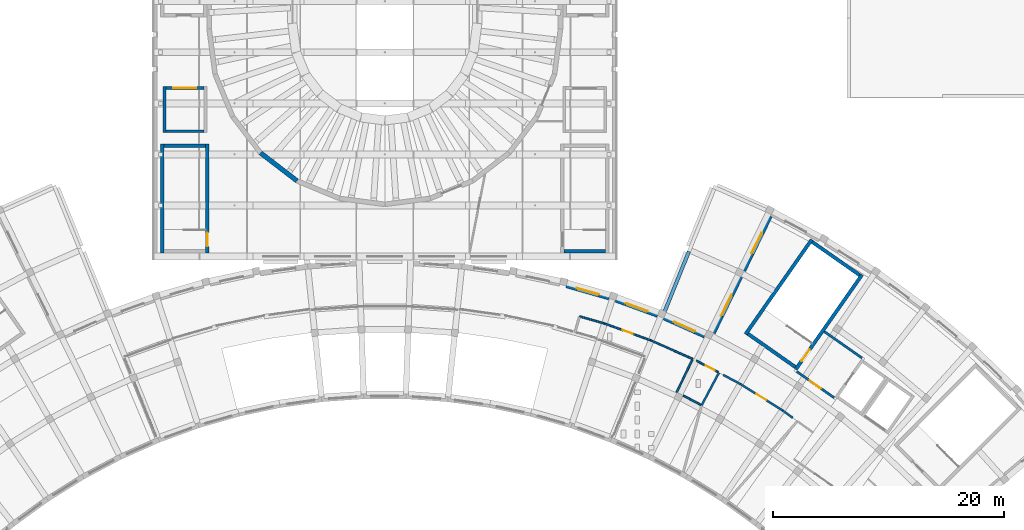
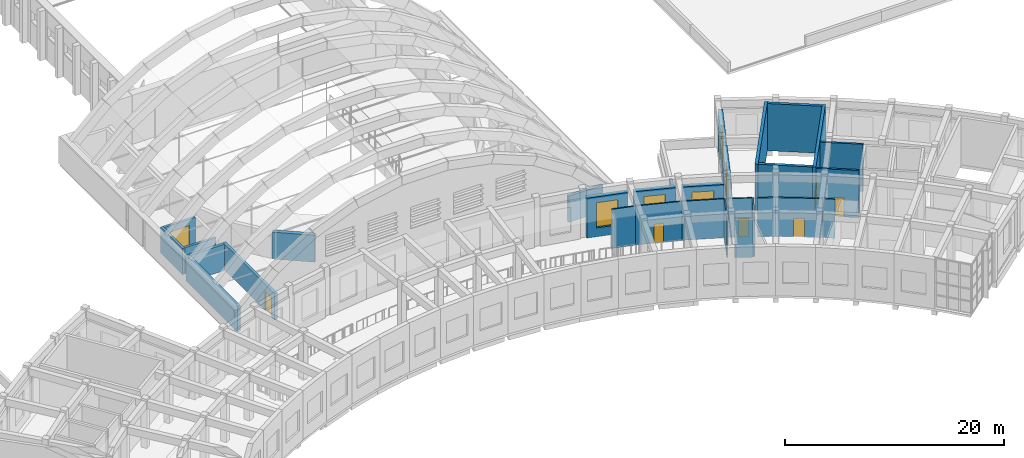
# One storey, part 63 of 94: 30 walls, 7 doors, 5 windows, 12 openings.
"""IFC4 building model written with IfcOpenShell, lengths in metres."""

from ifc_helpers import new_model, si_unit, direction, frame, frame_2d, origin, place, context, subcontext, project, spatial, rectangle, extrude, material, layer, layer_set, type_object, element, fill, save


model = new_model("IFC4")

# Units and contexts
model_context = context("Model", 3, precision=1e-05, world=origin(), true_north=direction((0.0, 1.0)))
body_context = subcontext(model_context, "Body", "Model", "MODEL_VIEW")
ifc_project = project(units=[si_unit("LENGTHUNIT", "METRE"), si_unit("AREAUNIT", "SQUARE_METRE"), si_unit("VOLUMEUNIT", "CUBIC_METRE"), si_unit("PLANEANGLEUNIT", "RADIAN"), si_unit("MASSUNIT", "GRAM", prefix="KILO")], contexts=[model_context])

# Site, building, storey
site_placement = place(None, origin())
site = spatial("IfcSite", under=ifc_project, at=site_placement, CompositionType="ELEMENT")
building_placement = place(site_placement, origin())
building = spatial("IfcBuilding", under=site, at=building_placement, Name="Lunette Opera House", CompositionType="ELEMENT")
storey_placement = place(building_placement, frame((0.0, 0.0, 22.5)))
storey = spatial("IfcBuildingStorey", under=building, at=storey_placement, Name="L04", CompositionType="ELEMENT", Elevation=22.5)

# Wall, opening, door
ifc_material_1 = material(Name="Plastered clay blockwork", Category="masonry")
ifc_layer_1 = layer(ifc_material_1, 0.175048828125)
ifc_layer_set_1 = layer_set([ifc_layer_1], Name="Plastered clay blockwork")
wall_type_1 = type_object("IfcWallType", Name="ACOUSTIC BLOCK PARTITION 175", PredefinedType="PARTITIONING", material=ifc_layer_set_1)
wall_1_placement = place(storey_placement, frame((130.389892578125, 50.986083984375, 0.0), z_axis=(0.0, 0.0, 1.0), x_axis=(-0.848001499411, 0.52999382732, 0.0)))
wall_1 = element("IfcWall", 1, at=wall_1_placement, inside=storey, type_object=wall_type_1, Name="Partition Restaurant Store", PredefinedType="PARTITIONING", context=body_context, shape_type="SweptSolid", body=[
    extrude(rectangle(XDim=4.292236328125, YDim=0.175048828125, at=frame_2d((2.14599609375, 0.0))), origin(), (0.0, 0.0, 1.0), 4.35009765625),
])
opening_1_placement = place(wall_1_placement, frame((1.64599609375, 0.0, 0.0)))
opening_1 = element("IfcOpeningElement", 2, at=opening_1_placement, cuts=wall_1, Name="Opening FC-D3048", PredefinedType="OPENING", context=body_context, shape_type="SweptSolid", body=[
    extrude(rectangle(XDim=1.0, YDim=2.10009765625, at=frame_2d((0.5, 1.050048828125))), frame((0.0, 0.099609375, 0.0), z_axis=(0.0, -1.0, 0.0), x_axis=(1.0, 0.0, 0.0)), (0.0, 0.0, 1.0), 0.198974609375),
])
ifc_material_2 = material(Name="Timber", Category="wood")
door_type_1 = type_object("IfcDoorType", Name="FLUSH DOOR 1000 X 2100", OperationType="SINGLE_SWING_LEFT", PredefinedType="DOOR", material=ifc_material_2)
door_1_placement = place(opening_1_placement, origin())
door_1 = element("IfcDoor", 3, at=door_1_placement, inside=storey, type_object=door_type_1, Name="Restaurant Store door", OperationType="SINGLE_SWING_LEFT", OverallHeight=2.10009765625, OverallWidth=1.0, PredefinedType="DOOR", context=body_context, shape_type="SweptSolid", body=[
    extrude(rectangle(XDim=1.0, YDim=2.10009765625, at=frame_2d((0.5, 1.050048828125))), frame((0.0, 0.02490234375, 0.0), z_axis=(0.0, -1.0, 0.0), x_axis=(1.0, 0.0, 0.0)), (0.0, 0.0, 1.0), 0.050048828125),
])
fill(opening_1, door_1)

# Walls
wall_2_placement = place(storey_placement, frame((124.9130859375, 54.237060546875, 0.0), z_axis=(0.0, 0.0, 1.0), x_axis=(-0.470362354522, -0.88247337379, 0.0)))
element("IfcWall", 4, at=wall_2_placement, inside=storey, type_object=wall_type_1, Name="Partition Restaurant Store", PredefinedType="PARTITIONING", context=body_context, shape_type="SweptSolid", body=[
    extrude(rectangle(XDim=3.19775390625, YDim=0.175048828125, at=frame_2d((1.598876953125, 0.0))), origin(), (0.0, 0.0, 1.0), 4.35009765625),
])
wall_3_placement = place(storey_placement, frame((126.75, 53.260986328125, 0.0), z_axis=(0.0, 0.0, 1.0), x_axis=(-0.882996305716, 0.469379935758, 0.0)))
element("IfcWall", 5, at=wall_3_placement, inside=storey, type_object=wall_type_1, Name="Partition Restaurant Store", PredefinedType="PARTITIONING", context=body_context, shape_type="SweptSolid", body=[
    extrude(rectangle(XDim=1.66796875, YDim=0.175048828125, at=frame_2d((0.833984375, 0.0))), origin(), (0.0, 0.0, 1.0), 4.35009765625),
])
wall_4_placement = place(storey_placement, frame((131.297119140625, 50.326904296875, 0.0), z_axis=(0.0, 0.0, 1.0), x_axis=(-0.8089996052, 0.587809185694, 0.0)))
element("IfcWall", 6, at=wall_4_placement, inside=storey, type_object=wall_type_1, Name="Partition Restaurant Store", PredefinedType="PARTITIONING", context=body_context, shape_type="SweptSolid", body=[
    extrude(rectangle(XDim=1.121337890625, YDim=0.175048828125, at=frame_2d((0.560546875, 0.0))), origin(), (0.0, 0.0, 1.0), 4.35009765625),
])

# Wall, opening, window
ifc_material_3 = material(Name="Clinker brick", Category="masonry")
ifc_layer_2 = layer(ifc_material_3, 0.449951171875)
ifc_layer_set_2 = layer_set([ifc_layer_2], Name="Clinker brick")
wall_type_2 = type_object("IfcWallType", Name="ARM REAR WALL 450", PredefinedType="SOLIDWALL", material=ifc_layer_set_2)
wall_5_placement = place(storey_placement, frame((129.31689453125, 67.798095703125, 0.0), z_axis=(0.0, 0.0, 1.0), x_axis=(-0.438229062669, -0.898863331454, 0.0)))
wall_5 = element("IfcWall", 7, at=wall_5_placement, inside=storey, type_object=wall_type_2, Name="Arm Rear Wall 450 F04 L04", PredefinedType="SOLIDWALL", context=body_context, shape_type="SweptSolid", body=[
    extrude(rectangle(XDim=5.2412109375, YDim=0.449951171875, at=frame_2d((2.62060546875, 0.0))), origin(), (0.0, 0.0, 1.0), 4.449951171875),
])
opening_2_placement = place(wall_5_placement, frame((1.6201171875, 0.0, 1.0)))
opening_2 = element("IfcOpeningElement", 8, at=opening_2_placement, cuts=wall_5, Name="Opening FC-N2194", PredefinedType="OPENING", context=body_context, shape_type="SweptSolid", body=[
    extrude(rectangle(XDim=2.0, YDim=2.800048828125, at=frame_2d((1.0, 1.39990234375))), frame((0.0, 0.237060546875, 0.0), z_axis=(0.0, -1.0, 0.0), x_axis=(1.0, 0.0, 0.0)), (0.0, 0.0, 1.0), 0.473876953125),
])
ifc_material_4 = material(Name="Aluminium", Category="aluminium")
window_type = type_object("IfcWindowType", Name="ARM WINDOW 2000 X 2800", PartitioningType="DOUBLE_PANEL_VERTICAL", PredefinedType="WINDOW", material=ifc_material_4)
window_1_placement = place(opening_2_placement, origin())
window_1 = element("IfcWindow", 9, at=window_1_placement, inside=storey, type_object=window_type, Name="Arm Window 2000 X 2800 F04 L04", OverallHeight=2.800048828125, OverallWidth=2.0, PartitioningType="DOUBLE_PANEL_VERTICAL", PredefinedType="WINDOW", context=body_context, shape_type="SweptSolid", body=[
    extrude(rectangle(XDim=2.0, YDim=2.800048828125, at=frame_2d((1.0, 1.39990234375))), frame((0.0, 0.030029296875, 0.0), z_axis=(0.0, -1.0, 0.0), x_axis=(1.0, 0.0, 0.0)), (0.0, 0.0, 1.0), 0.06005859375),
])
fill(opening_2, window_1)

wall_6_placement = place(storey_placement, frame((126.759033203125, 62.551025390625, 0.0), z_axis=(0.0, 0.0, 1.0), x_axis=(-0.4384093903, -0.898775392686, 0.0)))
wall_6 = element("IfcWall", 10, at=wall_6_placement, inside=storey, type_object=wall_type_2, Name="Arm Rear Wall 450 F05 L04", PredefinedType="SOLIDWALL", context=body_context, shape_type="SweptSolid", body=[
    extrude(rectangle(XDim=5.404052734375, YDim=0.449951171875, at=frame_2d((2.7021484375, 0.0))), origin(), (0.0, 0.0, 1.0), 4.449951171875),
])
opening_3_placement = place(wall_6_placement, frame((1.779052734375, 0.0, 1.0)))
opening_3 = element("IfcOpeningElement", 11, at=opening_3_placement, cuts=wall_6, Name="Opening FC-N2195", PredefinedType="OPENING", context=body_context, shape_type="SweptSolid", body=[
    extrude(rectangle(XDim=2.0, YDim=2.800048828125, at=frame_2d((1.0, 1.39990234375))), frame((0.0, 0.237060546875, 0.0), z_axis=(0.0, -1.0, 0.0), x_axis=(1.0, 0.0, 0.0)), (0.0, 0.0, 1.0), 0.473876953125),
])
window_2_placement = place(opening_3_placement, origin())
window_2 = element("IfcWindow", 12, at=window_2_placement, inside=storey, type_object=window_type, Name="Arm Window 2000 X 2800 F05 L04", OverallHeight=2.800048828125, OverallWidth=2.0, PartitioningType="DOUBLE_PANEL_VERTICAL", PredefinedType="WINDOW", context=body_context, shape_type="SweptSolid", body=[
    extrude(rectangle(XDim=2.0, YDim=2.800048828125, at=frame_2d((1.0, 1.39990234375))), frame((0.0, 0.030029296875, 0.0), z_axis=(0.0, -1.0, 0.0), x_axis=(1.0, 0.0, 0.0)), (0.0, 0.0, 1.0), 0.06005859375),
])
fill(opening_3, window_2)

wall_7_placement = place(storey_placement, frame((123.680908203125, 57.444091796875, 0.0), z_axis=(0.0, 0.0, 1.0), x_axis=(-0.913596783635, 0.406621343429, 0.0)))
wall_7 = element("IfcWall", 13, at=wall_7_placement, inside=storey, type_object=wall_type_2, Name="Arm Rear Wall 450 F06 L04", PredefinedType="SOLIDWALL", context=body_context, shape_type="SweptSolid", body=[
    extrude(rectangle(XDim=3.84619140625, YDim=0.449951171875, at=frame_2d((1.923095703125, 0.0))), origin(), (0.0, 0.0, 1.0), 4.449951171875),
])
opening_4_placement = place(wall_7_placement, frame((0.923095703125, 0.0, 1.0)))
opening_4 = element("IfcOpeningElement", 14, at=opening_4_placement, cuts=wall_7, Name="Opening FC-N2196", PredefinedType="OPENING", context=body_context, shape_type="SweptSolid", body=[
    extrude(rectangle(XDim=2.0, YDim=2.800048828125, at=frame_2d((1.0, 1.39990234375))), frame((0.0, 0.237060546875, 0.0), z_axis=(0.0, -1.0, 0.0), x_axis=(1.0, 0.0, 0.0)), (0.0, 0.0, 1.0), 0.473876953125),
])
window_3_placement = place(opening_4_placement, origin())
window_3 = element("IfcWindow", 15, at=window_3_placement, inside=storey, type_object=window_type, Name="Arm Window 2000 X 2800 F06 L04", OverallHeight=2.800048828125, OverallWidth=2.0, PartitioningType="DOUBLE_PANEL_VERTICAL", PredefinedType="WINDOW", context=body_context, shape_type="SweptSolid", body=[
    extrude(rectangle(XDim=2.0, YDim=2.800048828125, at=frame_2d((1.0, 1.39990234375))), frame((0.0, 0.030029296875, 0.0), z_axis=(0.0, -1.0, 0.0), x_axis=(1.0, 0.0, 0.0)), (0.0, 0.0, 1.0), 0.06005859375),
])
fill(opening_4, window_3)

wall_8_placement = place(storey_placement, frame((119.60595703125, 59.235107421875, 0.0), z_axis=(0.0, 0.0, 1.0), x_axis=(-0.939678490681, 0.342058962975, 0.0)))
wall_8 = element("IfcWall", 16, at=wall_8_placement, inside=storey, type_object=wall_type_2, Name="Arm Rear Wall 450 F07 L04", PredefinedType="SOLIDWALL", context=body_context, shape_type="SweptSolid", body=[
    extrude(rectangle(XDim=3.84716796875, YDim=0.449951171875, at=frame_2d((1.923583984375, 0.0))), origin(), (0.0, 0.0, 1.0), 4.449951171875),
])
opening_5_placement = place(wall_8_placement, frame((0.924072265625, 0.0, 1.0)))
opening_5 = element("IfcOpeningElement", 17, at=opening_5_placement, cuts=wall_8, Name="Opening FC-N2197", PredefinedType="OPENING", context=body_context, shape_type="SweptSolid", body=[
    extrude(rectangle(XDim=2.0, YDim=2.800048828125, at=frame_2d((1.0, 1.39990234375))), frame((0.0, 0.237060546875, 0.0), z_axis=(0.0, -1.0, 0.0), x_axis=(1.0, 0.0, 0.0)), (0.0, 0.0, 1.0), 0.473876953125),
])
window_4_placement = place(opening_5_placement, origin())
window_4 = element("IfcWindow", 18, at=window_4_placement, inside=storey, type_object=window_type, Name="Arm Window 2000 X 2800 F07 L04", OverallHeight=2.800048828125, OverallWidth=2.0, PartitioningType="DOUBLE_PANEL_VERTICAL", PredefinedType="WINDOW", context=body_context, shape_type="SweptSolid", body=[
    extrude(rectangle(XDim=2.0, YDim=2.800048828125, at=frame_2d((1.0, 1.39990234375))), frame((0.0, 0.030029296875, 0.0), z_axis=(0.0, -1.0, 0.0), x_axis=(1.0, 0.0, 0.0)), (0.0, 0.0, 1.0), 0.06005859375),
])
fill(opening_5, window_4)

wall_9_placement = place(storey_placement, frame((115.4169921875, 60.737060546875, 0.0), z_axis=(0.0, 0.0, 1.0), x_axis=(-0.961197514665, 0.275861084246, 0.0)))
wall_9 = element("IfcWall", 19, at=wall_9_placement, inside=storey, type_object=wall_type_2, Name="Arm Rear Wall 450 F08 L04", PredefinedType="SOLIDWALL", context=body_context, shape_type="SweptSolid", body=[
    extrude(rectangle(XDim=3.84619140625, YDim=0.449951171875, at=frame_2d((1.923095703125, 0.0))), origin(), (0.0, 0.0, 1.0), 4.449951171875),
])
opening_6_placement = place(wall_9_placement, frame((0.923095703125, 0.0, 1.0)))
opening_6 = element("IfcOpeningElement", 20, at=opening_6_placement, cuts=wall_9, Name="Opening FC-N2198", PredefinedType="OPENING", context=body_context, shape_type="SweptSolid", body=[
    extrude(rectangle(XDim=2.0, YDim=2.800048828125, at=frame_2d((1.0, 1.39990234375))), frame((0.0, 0.237060546875, 0.0), z_axis=(0.0, -1.0, 0.0), x_axis=(1.0, 0.0, 0.0)), (0.0, 0.0, 1.0), 0.473876953125),
])
window_5_placement = place(opening_6_placement, origin())
window_5 = element("IfcWindow", 21, at=window_5_placement, inside=storey, type_object=window_type, Name="Arm Window 2000 X 2800 F08 L04", OverallHeight=2.800048828125, OverallWidth=2.0, PartitioningType="DOUBLE_PANEL_VERTICAL", PredefinedType="WINDOW", context=body_context, shape_type="SweptSolid", body=[
    extrude(rectangle(XDim=2.0, YDim=2.800048828125, at=frame_2d((1.0, 1.39990234375))), frame((0.0, 0.030029296875, 0.0), z_axis=(0.0, -1.0, 0.0), x_axis=(1.0, 0.0, 0.0)), (0.0, 0.0, 1.0), 0.06005859375),
])
fill(opening_6, window_5)

# Wall, opening, door
ifc_material_5 = material(Name="Plastered clay blockwork", Category="masonry")
ifc_layer_3 = layer(ifc_material_5, 0.14990234375)
ifc_layer_set_3 = layer_set([ifc_layer_3], Name="Plastered clay blockwork")
wall_type_3 = type_object("IfcWallType", Name="BLOCK PARTITION 150", PredefinedType="PARTITIONING", material=ifc_layer_set_3)
wall_10_placement = place(storey_placement, frame((119.0380859375, 57.02197265625, 0.0), z_axis=(0.0, 0.0, 1.0), x_axis=(-0.939688749988, 0.342030778068, 0.0)))
wall_10 = element("IfcWall", 22, at=wall_10_placement, inside=storey, type_object=wall_type_3, Name="Partition Public WC L04", PredefinedType="PARTITIONING", context=body_context, shape_type="SweptSolid", body=[
    extrude(rectangle(XDim=4.2919921875, YDim=0.14990234375, at=frame_2d((2.14599609375, 0.0))), origin(), (0.0, 0.0, 1.0), 4.35009765625),
])
opening_7_placement = place(wall_10_placement, frame((1.696044921875, 0.0, 0.0)))
opening_7 = element("IfcOpeningElement", 23, at=opening_7_placement, cuts=wall_10, Name="Opening FC-D3046", PredefinedType="OPENING", context=body_context, shape_type="SweptSolid", body=[
    extrude(rectangle(XDim=0.89990234375, YDim=2.10009765625, at=frame_2d((0.449951171875, 1.050048828125))), frame((0.0, 0.0869140625, 0.0), z_axis=(0.0, -1.0, 0.0), x_axis=(1.0, 0.0, 0.0)), (0.0, 0.0, 1.0), 0.173828125),
])
ifc_material_6 = material(Name="Timber", Category="wood")
door_type_2 = type_object("IfcDoorType", Name="FLUSH DOOR 900 X 2100", OperationType="SINGLE_SWING_LEFT", PredefinedType="DOOR", material=ifc_material_6)
door_2_placement = place(opening_7_placement, origin())
door_2 = element("IfcDoor", 24, at=door_2_placement, inside=storey, type_object=door_type_2, Name="Public WC L04 door", OperationType="SINGLE_SWING_RIGHT", OverallHeight=2.10009765625, OverallWidth=0.89990234375, PredefinedType="DOOR", context=body_context, shape_type="SweptSolid", body=[
    extrude(rectangle(XDim=0.89990234375, YDim=2.10009765625, at=frame_2d((0.449951171875, 1.050048828125))), frame((0.0, 0.02490234375, 0.0), z_axis=(0.0, -1.0, 0.0), x_axis=(1.0, 0.0, 0.0)), (0.0, 0.0, 1.0), 0.050048828125),
])
fill(opening_7, door_2)

# Walls
wall_11_placement = place(storey_placement, frame((122.634033203125, 55.4208984375, 0.0), z_axis=(0.0, 0.0, 1.0), x_axis=(-0.913540233147, 0.406748377282, 0.0)))
element("IfcWall", 25, at=wall_11_placement, inside=storey, type_object=wall_type_3, Name="Partition Public WC L04", PredefinedType="PARTITIONING", context=body_context, shape_type="SweptSolid", body=[
    extrude(rectangle(XDim=3.936279296875, YDim=0.14990234375, at=frame_2d((1.96826171875, 0.0))), origin(), (0.0, 0.0, 1.0), 4.35009765625),
])
wall_12_placement = place(storey_placement, frame((122.60107421875, 55.35302734375, 0.0), z_axis=(0.0, 0.0, 1.0), x_axis=(-0.432837781937, -0.901471826808, 0.0)))
element("IfcWall", 26, at=wall_12_placement, inside=storey, type_object=wall_type_3, Name="Partition Accessible WC L04", PredefinedType="PARTITIONING", context=body_context, shape_type="SweptSolid", body=[
    extrude(rectangle(XDim=3.123779296875, YDim=0.14990234375, at=frame_2d((1.56201171875, 0.0))), origin(), (0.0, 0.0, 1.0), 4.35009765625),
])
wall_13_placement = place(storey_placement, frame((115.0048828125, 58.489990234375, 0.0), z_axis=(0.0, 0.0, 1.0), x_axis=(-0.961330727759, 0.275396499373, 0.0)))
element("IfcWall", 27, at=wall_13_placement, inside=storey, type_object=wall_type_3, Name="Partition Public WC L04", PredefinedType="PARTITIONING", context=body_context, shape_type="SweptSolid", body=[
    extrude(rectangle(XDim=2.24365234375, YDim=0.14990234375, at=frame_2d((1.121826171875, 0.0))), origin(), (0.0, 0.0, 1.0), 4.35009765625),
])

# Wall, opening, door
wall_14_placement = place(storey_placement, frame((124.8349609375, 54.278076171875, 0.0), z_axis=(0.0, 0.0, 1.0), x_axis=(-0.882782128036, 0.469782624646, 0.0)))
wall_14 = element("IfcWall", 28, at=wall_14_placement, inside=storey, type_object=wall_type_3, Name="Partition Accessible WC L04", PredefinedType="PARTITIONING", context=body_context, shape_type="SweptSolid", body=[
    extrude(rectangle(XDim=2.1240234375, YDim=0.14990234375, at=frame_2d((1.06201171875, 0.0))), origin(), (0.0, 0.0, 1.0), 4.35009765625),
])
opening_8_placement = place(wall_14_placement, frame((0.31689453125, 0.0, 0.0)))
opening_8 = element("IfcOpeningElement", 29, at=opening_8_placement, cuts=wall_14, Name="Opening FC-D3047", PredefinedType="OPENING", context=body_context, shape_type="SweptSolid", body=[
    extrude(rectangle(XDim=0.89990234375, YDim=2.10009765625, at=frame_2d((0.449951171875, 1.050048828125))), frame((0.0, 0.0869140625, 0.0), z_axis=(0.0, -1.0, 0.0), x_axis=(1.0, 0.0, 0.0)), (0.0, 0.0, 1.0), 0.173828125),
])
door_3_placement = place(opening_8_placement, origin())
door_3 = element("IfcDoor", 30, at=door_3_placement, inside=storey, type_object=door_type_2, Name="Accessible WC L04 door", OperationType="SINGLE_SWING_LEFT", OverallHeight=2.10009765625, OverallWidth=0.89990234375, PredefinedType="DOOR", context=body_context, shape_type="SweptSolid", body=[
    extrude(rectangle(XDim=0.89990234375, YDim=2.10009765625, at=frame_2d((0.449951171875, 1.050048828125))), frame((0.0, 0.02490234375, 0.0), z_axis=(0.0, -1.0, 0.0), x_axis=(1.0, 0.0, 0.0)), (0.0, 0.0, 1.0), 0.050048828125),
])
fill(opening_8, door_3)

# Wall
wall_15_placement = place(storey_placement, frame((121.822998046875, 52.259033203125, 0.0), z_axis=(0.0, 0.0, 1.0), x_axis=(0.882673141799, -0.469987366582, 0.0)))
element("IfcWall", 31, at=wall_15_placement, inside=storey, type_object=wall_type_3, Name="Partition Accessible WC L04", PredefinedType="PARTITIONING", context=body_context, shape_type="SweptSolid", body=[
    extrude(rectangle(XDim=1.70849609375, YDim=0.14990234375, at=frame_2d((0.854248046875, 0.0))), origin(), (0.0, 0.0, 1.0), 4.35009765625),
])

# Wall, opening, door
ifc_material_7 = material(Name="Concrete C35/45", Category="concrete")
ifc_layer_4 = layer(ifc_material_7, 0.199951171875)
ifc_layer_set_4 = layer_set([ifc_layer_4], Name="Concrete C35/45")
wall_type_4 = type_object("IfcWallType", Name="LOBBY WALL 200", PredefinedType="PARTITIONING", material=ifc_layer_set_4)
wall_16_placement = place(storey_placement, frame((131.632080078125, 54.340087890625, 0.0), z_axis=(0.0, 0.0, 1.0), x_axis=(0.81911891796, -0.573623742744, 0.0)))
wall_16 = element("IfcWall", 32, at=wall_16_placement, inside=storey, type_object=wall_type_4, Name="FL1 lobby wall 1a", PredefinedType="PARTITIONING", context=body_context, shape_type="SweptSolid", body=[
    extrude(rectangle(XDim=3.958984375, YDim=0.199951171875, at=frame_2d((1.9794921875, 0.0))), origin(), (0.0, 0.0, 1.0), 5.25),
])
opening_9_placement = place(wall_16_placement, frame((1.3798828125, 0.0, 0.0)))
opening_9 = element("IfcOpeningElement", 33, at=opening_9_placement, cuts=wall_16, Name="Opening FC-D7042", PredefinedType="OPENING", context=body_context, shape_type="SweptSolid", body=[
    extrude(rectangle(XDim=1.199951171875, YDim=2.10009765625, at=frame_2d((0.60009765625, 1.050048828125))), frame((0.0, 0.112060546875, 0.0), z_axis=(0.0, -1.0, 0.0), x_axis=(1.0, 0.0, 0.0)), (0.0, 0.0, 1.0), 0.223876953125),
])
ifc_material_8 = material(Name="Steel", Category="steel")
door_type_3 = type_object("IfcDoorType", Name="FIRE DOOR 1200 X 2100", OperationType="SINGLE_SWING_LEFT", PredefinedType="DOOR", material=ifc_material_8)
door_4_placement = place(opening_9_placement, origin())
door_4 = element("IfcDoor", 34, at=door_4_placement, inside=storey, type_object=door_type_3, Name="FL1 lobby door", OperationType="SINGLE_SWING_LEFT", OverallHeight=2.10009765625, OverallWidth=1.199951171875, PredefinedType="DOOR", context=body_context, shape_type="SweptSolid", body=[
    extrude(rectangle(XDim=1.199951171875, YDim=2.10009765625, at=frame_2d((0.60009765625, 1.050048828125))), frame((0.0, 0.02490234375, 0.0), z_axis=(0.0, -1.0, 0.0), x_axis=(1.0, 0.0, 0.0)), (0.0, 0.0, 1.0), 0.050048828125),
])
fill(opening_9, door_4)

# Wall
wall_17_placement = place(storey_placement, frame((137.284912109375, 55.508056640625, 0.0), z_axis=(0.0, 0.0, 1.0), x_axis=(-0.819125561737, 0.573614255497, 0.0)))
element("IfcWall", 35, at=wall_17_placement, inside=storey, type_object=wall_type_4, Name="FL1 lobby wall 3a", PredefinedType="PARTITIONING", context=body_context, shape_type="SweptSolid", body=[
    extrude(rectangle(XDim=3.990478515625, YDim=0.199951171875, at=frame_2d((1.9951171875, 0.0))), origin(), (0.0, 0.0, 1.0), 5.25),
])

# Wall, opening, door
ifc_material_9 = material(Name="Concrete C35/45", Category="concrete")
ifc_layer_5 = layer(ifc_material_9, 0.25)
ifc_layer_set_5 = layer_set([ifc_layer_5], Name="Concrete C35/45")
wall_type_5 = type_object("IfcWallType", Name="RC LIFT SHAFT WALL 250", PredefinedType="SOLIDWALL", material=ifc_layer_set_5)
wall_18_placement = place(storey_placement, frame((80.35009765625, 78.875, 0.0), z_axis=(0.0, 0.0, 1.0), x_axis=(-1.0, 0.0, 0.0)))
wall_18 = element("IfcWall", 36, at=wall_18_placement, inside=storey, type_object=wall_type_5, Name="LF4 shaft wall 2", PredefinedType="SOLIDWALL", context=body_context, shape_type="SweptSolid", body=[
    extrude(rectangle(XDim=3.300048828125, YDim=0.25, at=frame_2d((1.64990234375, 0.0))), origin(), (0.0, 0.0, 1.0), 2.89990234375),
])
opening_10_placement = place(wall_18_placement, frame((0.64990234375, 0.0, 0.0)))
opening_10 = element("IfcOpeningElement", 37, at=opening_10_placement, cuts=wall_18, Name="Opening AU-LD010", PredefinedType="OPENING", context=body_context, shape_type="SweptSolid", body=[
    extrude(rectangle(XDim=2.0, YDim=2.199951171875, at=frame_2d((1.0, 1.10009765625))), frame((0.0, 0.136962890625, 0.0), z_axis=(0.0, -1.0, 0.0), x_axis=(1.0, 0.0, 0.0)), (0.0, 0.0, 1.0), 0.27392578125),
])
ifc_material_10 = material(Name="Stainless steel", Category="steel")
door_type_4 = type_object("IfcDoorType", Name="LIFT LANDING DOOR 2000 X 2200", OperationType="DOUBLE_DOOR_SLIDING", PredefinedType="DOOR", material=ifc_material_10)
door_5_placement = place(opening_10_placement, origin())
door_5 = element("IfcDoor", 38, at=door_5_placement, inside=storey, type_object=door_type_4, Name="LF4 lift landing door", OperationType="DOUBLE_DOOR_SLIDING", OverallHeight=2.199951171875, OverallWidth=2.0, PredefinedType="DOOR", context=body_context, shape_type="SweptSolid", body=[
    extrude(rectangle(XDim=2.0, YDim=2.199951171875, at=frame_2d((1.0, 1.10009765625))), frame((0.0, 0.02490234375, 0.0), z_axis=(0.0, -1.0, 0.0), x_axis=(1.0, 0.0, 0.0)), (0.0, 0.0, 1.0), 0.050048828125),
])
fill(opening_10, door_5)

# Walls
wall_19_placement = place(storey_placement, frame((76.925048828125, 79.0, 0.0), z_axis=(0.0, 0.0, 1.0), x_axis=(0.0, -1.0, 0.0)))
element("IfcWall", 39, at=wall_19_placement, inside=storey, type_object=wall_type_5, Name="LF4 shaft wall 3", PredefinedType="SOLIDWALL", context=body_context, shape_type="SweptSolid", body=[
    extrude(rectangle(XDim=4.0, YDim=0.25, at=frame_2d((2.0, 0.0))), origin(), (0.0, 0.0, 1.0), 2.89990234375),
])
wall_20_placement = place(storey_placement, frame((77.050048828125, 75.125, 0.0), z_axis=(0.0, 0.0, 1.0), x_axis=(1.0, 0.0, 0.0)))
element("IfcWall", 40, at=wall_20_placement, inside=storey, type_object=wall_type_5, Name="LF4 shaft wall 4", PredefinedType="SOLIDWALL", context=body_context, shape_type="SweptSolid", body=[
    extrude(rectangle(XDim=3.300048828125, YDim=0.25, at=frame_2d((1.64990234375, 0.0))), origin(), (0.0, 0.0, 1.0), 2.89990234375),
])
ifc_material_11 = material(Name="Concrete C35/45", Category="concrete")
ifc_layer_6 = layer(ifc_material_11, 0.300048828125)
ifc_layer_set_6 = layer_set([ifc_layer_6], Name="Concrete C35/45")
wall_type_6 = type_object("IfcWallType", Name="RC STAIR ENCLOSURE WALL 300", PredefinedType="SOLIDWALL", material=ifc_layer_set_6)
wall_21_placement = place(storey_placement, frame((127.41796875, 57.595947265625, 0.0), z_axis=(0.0, 0.0, 1.0), x_axis=(0.819096538389, -0.573655698829, 0.0)))
element("IfcWall", 41, at=wall_21_placement, inside=storey, type_object=wall_type_6, Name="ST3 enclosure wall 1", PredefinedType="SOLIDWALL", context=body_context, shape_type="SweptSolid", body=[
    extrude(rectangle(XDim=4.999267578125, YDim=0.300048828125, at=frame_2d((2.49951171875, 0.0))), origin(), (0.0, 0.0, 1.0), 5.25),
])

# Wall, opening, door
wall_22_placement = place(storey_placement, frame((131.550048828125, 54.51904296875, 0.0), z_axis=(0.0, 0.0, 1.0), x_axis=(0.573563925118, 0.819160804606, 0.0)))
wall_22 = element("IfcWall", 42, at=wall_22_placement, inside=storey, type_object=wall_type_6, Name="ST3 enclosure wall 2", PredefinedType="SOLIDWALL", context=body_context, shape_type="SweptSolid", body=[
    extrude(rectangle(XDim=10.000244140625, YDim=0.300048828125, at=frame_2d((5.0, 0.0))), origin(), (0.0, 0.0, 1.0), 5.25),
])
opening_11_placement = place(wall_22_placement, frame((0.89990234375, 0.0, 0.0)))
opening_11 = element("IfcOpeningElement", 43, at=opening_11_placement, cuts=wall_22, Name="Opening FC-D7024", PredefinedType="OPENING", context=body_context, shape_type="SweptSolid", body=[
    extrude(rectangle(XDim=1.199951171875, YDim=2.10009765625, at=frame_2d((0.60009765625, 1.050048828125))), frame((0.0, 0.162109375, 0.0), z_axis=(0.0, -1.0, 0.0), x_axis=(1.0, 0.0, 0.0)), (0.0, 0.0, 1.0), 0.323974609375),
])
door_6_placement = place(opening_11_placement, origin())
door_6 = element("IfcDoor", 44, at=door_6_placement, inside=storey, type_object=door_type_3, Name="ST3 stair door", OperationType="SINGLE_SWING_LEFT", OverallHeight=2.10009765625, OverallWidth=1.199951171875, PredefinedType="DOOR", context=body_context, shape_type="SweptSolid", body=[
    extrude(rectangle(XDim=1.199951171875, YDim=2.10009765625, at=frame_2d((0.60009765625, 1.050048828125))), frame((0.0, 0.02490234375, 0.0), z_axis=(0.0, -1.0, 0.0), x_axis=(1.0, 0.0, 0.0)), (0.0, 0.0, 1.0), 0.050048828125),
])
fill(opening_11, door_6)

# Walls
wall_23_placement = place(storey_placement, frame((137.076904296875, 62.674072265625, 0.0), z_axis=(0.0, 0.0, 1.0), x_axis=(-0.819160804606, 0.573563925118, 0.0)))
element("IfcWall", 45, at=wall_23_placement, inside=storey, type_object=wall_type_6, Name="ST3 enclosure wall 3", PredefinedType="SOLIDWALL", context=body_context, shape_type="SweptSolid", body=[
    extrude(rectangle(XDim=5.000244140625, YDim=0.300048828125, at=frame_2d((2.5, 0.0))), origin(), (0.0, 0.0, 1.0), 5.25),
])
wall_24_placement = place(storey_placement, frame((132.944091796875, 65.7509765625, 0.0), z_axis=(0.0, 0.0, 1.0), x_axis=(-0.573514776444, -0.819195215563, 0.0)))
element("IfcWall", 46, at=wall_24_placement, inside=storey, type_object=wall_type_6, Name="ST3 enclosure wall 4", PredefinedType="SOLIDWALL", context=body_context, shape_type="SweptSolid", body=[
    extrude(rectangle(XDim=10.0, YDim=0.300048828125, at=frame_2d((5.0, 0.0))), origin(), (0.0, 0.0, 1.0), 5.25),
])

# Wall, opening, door
wall_25_placement = place(storey_placement, frame((80.64990234375, 64.60009765625, 0.0), z_axis=(0.0, 0.0, 1.0), x_axis=(0.0, 1.0, 0.0)))
wall_25 = element("IfcWall", 47, at=wall_25_placement, inside=storey, type_object=wall_type_6, Name="ST7 enclosure wall 1", PredefinedType="SOLIDWALL", context=body_context, shape_type="SweptSolid", body=[
    extrude(rectangle(XDim=9.39990234375, YDim=0.300048828125, at=frame_2d((4.699951171875, 0.0))), origin(), (0.0, 0.0, 1.0), 2.89990234375),
])
opening_12_placement = place(wall_25_placement, frame((0.56005859375, 0.0, 0.0)))
opening_12 = element("IfcOpeningElement", 48, at=opening_12_placement, cuts=wall_25, Name="Opening AU-D7012", PredefinedType="OPENING", context=body_context, shape_type="SweptSolid", body=[
    extrude(rectangle(XDim=1.199951171875, YDim=2.10009765625, at=frame_2d((0.60009765625, 1.050048828125))), frame((0.0, 0.162109375, 0.0), z_axis=(0.0, -1.0, 0.0), x_axis=(1.0, 0.0, 0.0)), (0.0, 0.0, 1.0), 0.323974609375),
])
door_7_placement = place(opening_12_placement, origin())
door_7 = element("IfcDoor", 49, at=door_7_placement, inside=storey, type_object=door_type_3, Name="ST7 stair door", OperationType="SINGLE_SWING_LEFT", OverallHeight=2.10009765625, OverallWidth=1.199951171875, PredefinedType="DOOR", context=body_context, shape_type="SweptSolid", body=[
    extrude(rectangle(XDim=1.199951171875, YDim=2.10009765625, at=frame_2d((0.60009765625, 1.050048828125))), frame((0.0, 0.02490234375, 0.0), z_axis=(0.0, -1.0, 0.0), x_axis=(1.0, 0.0, 0.0)), (0.0, 0.0, 1.0), 0.050048828125),
])
fill(opening_12, door_7)

# Walls
wall_26_placement = place(storey_placement, frame((80.5, 73.85009765625, 0.0), z_axis=(0.0, 0.0, 1.0), x_axis=(-1.0, 0.0, 0.0)))
element("IfcWall", 50, at=wall_26_placement, inside=storey, type_object=wall_type_6, Name="ST7 enclosure wall 2", PredefinedType="SOLIDWALL", context=body_context, shape_type="SweptSolid", body=[
    extrude(rectangle(XDim=3.60009765625, YDim=0.300048828125, at=frame_2d((1.800048828125, 0.0))), origin(), (0.0, 0.0, 1.0), 2.89990234375),
])
wall_27_placement = place(storey_placement, frame((76.75, 74.0, 0.0), z_axis=(0.0, 0.0, 1.0), x_axis=(0.0, -1.0, 0.0)))
element("IfcWall", 51, at=wall_27_placement, inside=storey, type_object=wall_type_6, Name="ST7 enclosure wall 3", PredefinedType="SOLIDWALL", context=body_context, shape_type="SweptSolid", body=[
    extrude(rectangle(XDim=9.39990234375, YDim=0.300048828125, at=frame_2d((4.699951171875, 0.0))), origin(), (0.0, 0.0, 1.0), 2.89990234375),
])
wall_28_placement = place(storey_placement, frame((111.5, 64.75, 0.0), z_axis=(0.0, 0.0, 1.0), x_axis=(1.0, 0.0, 0.0)))
element("IfcWall", 52, at=wall_28_placement, inside=storey, type_object=wall_type_6, Name="ST8 enclosure wall 4", PredefinedType="SOLIDWALL", context=body_context, shape_type="SweptSolid", body=[
    extrude(rectangle(XDim=3.60009765625, YDim=0.300048828125, at=frame_2d((1.800048828125, 0.0))), origin(), (0.0, 0.0, 1.0), 2.89990234375),
])
ifc_material_12 = material(Name="Concrete C35/45", Category="concrete")
ifc_layer_7 = layer(ifc_material_12, 0.39990234375)
ifc_layer_set_7 = layer_set([ifc_layer_7], Name="Concrete C35/45")
wall_type_7 = type_object("IfcWallType", Name="RC WALL 400", PredefinedType="SHEAR", material=ifc_layer_set_7)
wall_29_placement = place(storey_placement, frame((85.25, 73.25, 0.0), z_axis=(0.0, 0.0, 1.0), x_axis=(0.793501388766, -0.608568439888, 0.0)))
element("IfcWall", 53, at=wall_29_placement, inside=storey, type_object=wall_type_7, Name="wall-AU-L04-HW05", PredefinedType="SHEAR", context=body_context, shape_type="SweptSolid", body=[
    extrude(rectangle(XDim=3.968505859375, YDim=0.39990234375, at=frame_2d((1.984375, 0.0))), origin(), (0.0, 0.0, 1.0), 3.0),
])
ifc_material_13 = material(Name="Clinker brick", Category="masonry")
ifc_layer_8 = layer(ifc_material_13, 0.300048828125)
ifc_layer_set_8 = layer_set([ifc_layer_8], Name="Clinker brick")
wall_type_8 = type_object("IfcWallType", Name="ROOF PARAPET WALL 300", PredefinedType="PARAPET", material=ifc_layer_set_8)
wall_30_placement = place(storey_placement, frame((122.30810546875, 64.7119140625, 0.0), z_axis=(0.0, 0.0, 1.0), x_axis=(-0.374646208341, -0.927167848114, 0.0)))
element("IfcWall", 54, at=wall_30_placement, inside=storey, type_object=wall_type_8, Name="Roof Parapet Wall 300 PA-L03-03 L04", PredefinedType="PARAPET", context=body_context, shape_type="SweptSolid", body=[
    extrude(rectangle(XDim=5.840087890625, YDim=0.300048828125, at=frame_2d((2.919921875, 0.0))), origin(), (0.0, 0.0, 1.0), 1.10009765625),
])

save(model, "model.ifc")
